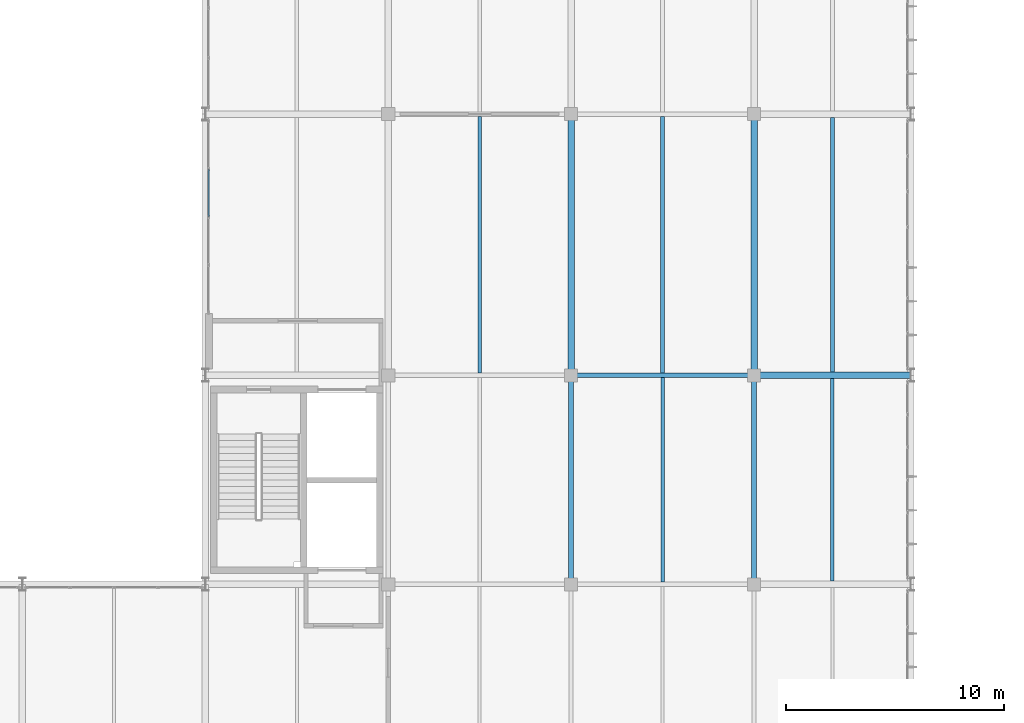
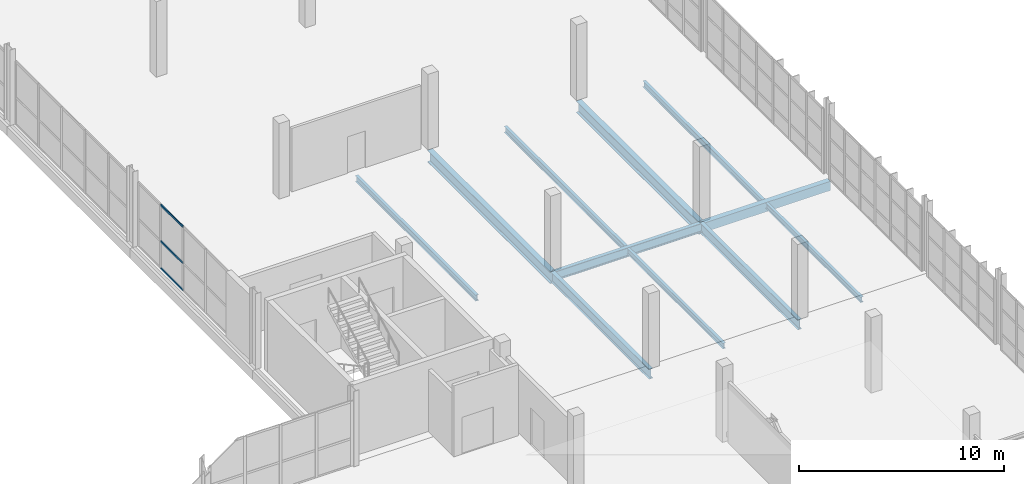
# One storey, part 89 of 130: 11 beams, 3 members, 1 element without a shape of its own.
"""IFC4 building model written with IfcOpenShell, lengths in metres."""

from ifc_helpers import new_model, si_unit, direction, frame, origin, origin_2d, place, context, subcontext, project, spatial, rectangle, hollow_rectangle, i_section, extrude, material, material_profile, profile_set, type_object, element, aggregate, save


model = new_model("IFC4")

# Units and contexts
model_context = context("Model", 3, precision=1e-05, world=origin(), true_north=direction((0.0, 1.0)))
body_context = subcontext(model_context, "Body", "Model", "MODEL_VIEW")
ifc_project = project(units=[si_unit("LENGTHUNIT", "METRE"), si_unit("AREAUNIT", "SQUARE_METRE"), si_unit("VOLUMEUNIT", "CUBIC_METRE"), si_unit("PLANEANGLEUNIT", "RADIAN"), si_unit("MASSUNIT", "GRAM", prefix="KILO")], contexts=[model_context])

# Site, building, storey
site_placement = place(None, origin())
site = spatial("IfcSite", under=ifc_project, at=site_placement, CompositionType="ELEMENT")
building_placement = place(site_placement, origin())
building = spatial("IfcBuilding", under=site, at=building_placement, Name="Veltarok Museum of Natural Sciences", CompositionType="ELEMENT")
storey_placement = place(building_placement, frame((0.0, 0.0, 12.89990234375)))
storey = spatial("IfcBuildingStorey", under=building, at=storey_placement, Name="L02", CompositionType="ELEMENT", Elevation=12.89990234375)

# Beam
ifc_material_1 = material(Name="Steel S355J2", Category="steel")
ifc_material_profile_1 = material_profile(ifc_material_1, i_section(OverallWidth=0.2099609375, OverallDepth=0.550048828125, WebThickness=0.010986328125, FlangeThickness=0.01708984375, FilletRadius=0.02392578125, at=origin_2d()), Name="IPE 550")
ifc_profile_set_1 = profile_set([ifc_material_profile_1], Name="Steel S355J2")
beam_type_1 = type_object("IfcBeamType", Name="Archive Heavy Girder IPE 550", PredefinedType="BEAM", material=ifc_profile_set_1)
beam_1_placement = place(storey_placement, frame((149.199951171875, 36.0, -0.52490234375), z_axis=(1.0, 0.0, 0.0), x_axis=(0.0, 1.0, 0.0)))
element("IfcBeam", 1, at=beam_1_placement, inside=storey, type_object=beam_type_1, Name="Beam BM-G03 L02 18-19/E", PredefinedType="BEAM", context=body_context, shape_type="SweptSolid", body=[
    extrude(i_section(OverallWidth=0.2099609375, OverallDepth=0.550048828125, WebThickness=0.010986328125, FlangeThickness=0.01708984375, FilletRadius=0.02392578125, at=origin_2d()), origin(), (0.0, 0.0, 1.0), 8.400146484375),
])

# Curtain wall, members
ifc_material_2 = material(Name="Low-iron triple insulated glass", Category="glass")
curtain_wall_type = type_object("IfcCurtainWallType", Name="Curtain Wall System CW-V5CW-L02-1-885x383 (CW-V5CW L02 885x383cm)", PredefinedType="NOTDEFINED", material=ifc_material_2)
curtain_wall_placement = place(storey_placement, origin())
curtain_wall = element("IfcCurtainWall", 2, at=curtain_wall_placement, inside=storey, type_object=curtain_wall_type, Name="Curtain Wall CW-V5CW-L02-1-885x383 CW-0177", PredefinedType="NOTDEFINED")
ifc_material_3 = material(Name="Thermally broken anodised aluminium", Category="aluminium")
ifc_material_profile_2 = material_profile(ifc_material_3, hollow_rectangle(XDim=0.06005859375, YDim=0.1201171875, WallThickness=0.0048828125, at=origin_2d()), Name="CW TRANSOM 60x120x5")
ifc_profile_set_2 = profile_set([ifc_material_profile_2], Name="Thermally broken anodised aluminium")
member_type = type_object("IfcMemberType", Name="Curtain Wall Horizontal Transom 60x120x5", PredefinedType="USERDEFINED", material=ifc_profile_set_2)
member_1_placement = place(storey_placement, frame((132.550048828125, 43.304931640625, 0.028076171875), z_axis=(0.0, 1.0, 0.0), x_axis=(-1.0, 0.0, 0.0)))
member_1 = element("IfcMember", 3, at=member_1_placement, type_object=member_type, Name="CW-V5CW-L02-1-885x383 transom 3.1", ObjectType="TRANSOM", PredefinedType="USERDEFINED", context=body_context, shape_type="SweptSolid", body=[
    extrude(hollow_rectangle(XDim=0.06005859375, YDim=0.1201171875, WallThickness=0.0048828125, at=origin_2d()), origin(), (0.0, 0.0, 1.0), 2.152587890625),
])
member_2_placement = place(storey_placement, frame((132.550048828125, 43.304931640625, 1.648193359375), z_axis=(0.0, 1.0, 0.0), x_axis=(-1.0, 0.0, 0.0)))
member_2 = element("IfcMember", 4, at=member_2_placement, type_object=member_type, Name="CW-V5CW-L02-1-885x383 transom 3.2", ObjectType="TRANSOM", PredefinedType="USERDEFINED", context=body_context, shape_type="SweptSolid", body=[
    extrude(hollow_rectangle(XDim=0.06005859375, YDim=0.1201171875, WallThickness=0.0048828125, at=origin_2d()), origin(), (0.0, 0.0, 1.0), 2.152587890625),
])
member_3_placement = place(storey_placement, frame((132.550048828125, 43.304931640625, 3.800048828125), z_axis=(0.0, 1.0, 0.0), x_axis=(-1.0, 0.0, 0.0)))
member_3 = element("IfcMember", 5, at=member_3_placement, type_object=member_type, Name="CW-V5CW-L02-1-885x383 transom 3.3", ObjectType="TRANSOM", PredefinedType="USERDEFINED", context=body_context, shape_type="SweptSolid", body=[
    extrude(hollow_rectangle(XDim=0.06005859375, YDim=0.1201171875, WallThickness=0.0048828125, at=origin_2d()), origin(), (0.0, 0.0, 1.0), 2.152587890625),
])
aggregate(curtain_wall, [member_1, member_2, member_3])

# Beams
ifc_material_4 = material(Name="Precast concrete C40/50", Category="concrete")
ifc_material_profile_3 = material_profile(ifc_material_4, rectangle(XDim=0.300048828125, YDim=0.550048828125, at=origin_2d()), Name="RC 300x550")
ifc_profile_set_3 = profile_set([ifc_material_profile_3], Name="Precast concrete C40/50")
beam_type_2 = type_object("IfcBeamType", Name="East Wing Precast Spandrel RC 300x550", PredefinedType="SPANDREL", material=ifc_profile_set_3)
beam_2_placement = place(storey_placement, frame((157.60009765625, 36.0, -0.52490234375), z_axis=(1.0, 0.0, 0.0), x_axis=(0.0, 1.0, 0.0)))
element("IfcBeam", 6, at=beam_2_placement, inside=storey, type_object=beam_type_2, Name="Beam BM-SP02 L02 19-20/E", PredefinedType="SPANDREL", context=body_context, shape_type="SweptSolid", body=[
    extrude(rectangle(XDim=0.300048828125, YDim=0.550048828125, at=origin_2d()), origin(), (0.0, 0.0, 1.0), 7.199951171875),
])
ifc_material_profile_4 = material_profile(ifc_material_1, i_section(OverallWidth=0.169921875, OverallDepth=0.360107421875, WebThickness=0.008056640625, FlangeThickness=0.0126953125, FilletRadius=0.01806640625, at=origin_2d()), Name="IPE 360")
ifc_profile_set_4 = profile_set([ifc_material_profile_4], Name="Steel S355J2")
beam_type_3 = type_object("IfcBeamType", Name="Long-Bay Composite Joist IPE 360", PredefinedType="JOIST", material=ifc_profile_set_4)
for number, where, z_axis, x_axis, name in (
    (7, (145.0, 36.10302734375, -0.429931640625), (0.0, 1.0, 0.0), (-1.0, 0.0, 0.0), "Secondary Joist BM-J01 L02 17-18/E-F.1"),
    (8, (153.39990234375, 36.10302734375, -0.429931640625), (0.0, 1.0, 0.0), (-1.0, 0.0, 0.0), "Secondary Joist BM-J01 L02 18-19/E-F.1"),
):
    element("IfcBeam", number, at=place(storey_placement, frame(where, z_axis=z_axis, x_axis=x_axis)), inside=storey, type_object=beam_type_3, Name=name, PredefinedType="JOIST", context=body_context, shape_type="SweptSolid", body=[
        extrude(i_section(OverallWidth=0.169921875, OverallDepth=0.360107421875, WebThickness=0.008056640625, FlangeThickness=0.0126953125, FilletRadius=0.01806640625, at=origin_2d()), origin(), (0.0, 0.0, 1.0), 11.7939453125),
    ])
beam_3_placement = place(storey_placement, frame((161.199951171875, 36.14794921875, -0.429931640625), z_axis=(0.0, 1.0, 0.0), x_axis=(-1.0, 0.0, 0.0)))
element("IfcBeam", 9, at=beam_3_placement, inside=storey, type_object=beam_type_3, Name="Secondary Joist BM-J01 L02 19-20/E-F.1", PredefinedType="JOIST", context=body_context, shape_type="SweptSolid", body=[
    extrude(i_section(OverallWidth=0.169921875, OverallDepth=0.360107421875, WebThickness=0.008056640625, FlangeThickness=0.0126953125, FilletRadius=0.01806640625, at=origin_2d()), origin(), (0.0, 0.0, 1.0), 11.7041015625),
])
ifc_material_profile_5 = material_profile(ifc_material_1, i_section(OverallWidth=0.300048828125, OverallDepth=0.699951171875, WebThickness=0.01708984375, FlangeThickness=0.031982421875, FilletRadius=0.027099609375, at=origin_2d()), Name="HEB 700")
ifc_profile_set_5 = profile_set([ifc_material_profile_5], Name="Steel S355J2")
beam_type_4 = type_object("IfcBeamType", Name="Long-Span Hall Girder HEB 700", PredefinedType="BEAM", material=ifc_profile_set_5)
for number, where, z_axis, x_axis, name in (
    (10, (149.199951171875, 36.0, -0.599853515625), (0.0, 1.0, 0.0), (-1.0, 0.0, 0.0), "Beam BM-G01 L02 18/E-F"),
    (11, (157.60009765625, 36.0, -0.599853515625), (0.0, 1.0, 0.0), (-1.0, 0.0, 0.0), "Beam BM-G01 L02 19/E-F"),
):
    element("IfcBeam", number, at=place(storey_placement, frame(where, z_axis=z_axis, x_axis=x_axis)), inside=storey, type_object=beam_type_4, Name=name, PredefinedType="BEAM", context=body_context, shape_type="SweptSolid", body=[
        extrude(i_section(OverallWidth=0.300048828125, OverallDepth=0.699951171875, WebThickness=0.01708984375, FlangeThickness=0.031982421875, FilletRadius=0.027099609375, at=origin_2d()), origin(), (0.0, 0.0, 1.0), 12.0),
    ])
ifc_material_profile_6 = material_profile(ifc_material_1, i_section(OverallWidth=0.159912109375, OverallDepth=0.330078125, WebThickness=0.007568359375, FlangeThickness=0.011474609375, FilletRadius=0.01806640625, at=origin_2d()), Name="IPE 330")
ifc_profile_set_6 = profile_set([ifc_material_profile_6], Name="Steel S355J2")
beam_type_5 = type_object("IfcBeamType", Name="Medium-Bay Composite Joist IPE 330", PredefinedType="JOIST", material=ifc_profile_set_6)
beam_4_placement = place(storey_placement, frame((153.39990234375, 26.5029296875, -0.414794921875), z_axis=(0.0, 1.0, 0.0), x_axis=(-1.0, 0.0, 0.0)))
element("IfcBeam", 12, at=beam_4_placement, inside=storey, type_object=beam_type_5, Name="Secondary Joist BM-J02 L02 18-19/D-E.1", PredefinedType="JOIST", context=body_context, shape_type="SweptSolid", body=[
    extrude(i_section(OverallWidth=0.159912109375, OverallDepth=0.330078125, WebThickness=0.007568359375, FlangeThickness=0.011474609375, FilletRadius=0.01806640625, at=origin_2d()), origin(), (0.0, 0.0, 1.0), 9.39404296875),
])
beam_5_placement = place(storey_placement, frame((161.199951171875, 26.548095703125, -0.414794921875), z_axis=(0.0, 1.0, 0.0), x_axis=(-1.0, 0.0, 0.0)))
element("IfcBeam", 13, at=beam_5_placement, inside=storey, type_object=beam_type_5, Name="Secondary Joist BM-J02 L02 19-20/D-E.1", PredefinedType="JOIST", context=body_context, shape_type="SweptSolid", body=[
    extrude(i_section(OverallWidth=0.159912109375, OverallDepth=0.330078125, WebThickness=0.007568359375, FlangeThickness=0.011474609375, FilletRadius=0.01806640625, at=origin_2d()), origin(), (0.0, 0.0, 1.0), 9.303955078125),
])
ifc_material_profile_7 = material_profile(ifc_material_1, i_section(OverallWidth=0.219970703125, OverallDepth=0.60009765625, WebThickness=0.011962890625, FlangeThickness=0.01904296875, FilletRadius=0.02392578125, at=origin_2d()), Name="IPE 600")
ifc_profile_set_7 = profile_set([ifc_material_profile_7], Name="Steel S355J2")
beam_type_6 = type_object("IfcBeamType", Name="Primary Museum Girder IPE 600", PredefinedType="BEAM", material=ifc_profile_set_7)
for number, where, z_axis, x_axis, name in (
    (14, (149.199951171875, 26.39990234375, -0.5498046875), (0.0, 1.0, 0.0), (-1.0, 0.0, 0.0), "Beam BM-G02 L02 18/D-E"),
    (15, (157.60009765625, 26.39990234375, -0.5498046875), (0.0, 1.0, 0.0), (-1.0, 0.0, 0.0), "Beam BM-G02 L02 19/D-E"),
):
    element("IfcBeam", number, at=place(storey_placement, frame(where, z_axis=z_axis, x_axis=x_axis)), inside=storey, type_object=beam_type_6, Name=name, PredefinedType="BEAM", context=body_context, shape_type="SweptSolid", body=[
        extrude(i_section(OverallWidth=0.219970703125, OverallDepth=0.60009765625, WebThickness=0.011962890625, FlangeThickness=0.01904296875, FilletRadius=0.02392578125, at=origin_2d()), origin(), (0.0, 0.0, 1.0), 9.60009765625),
    ])

save(model, "model.ifc")
